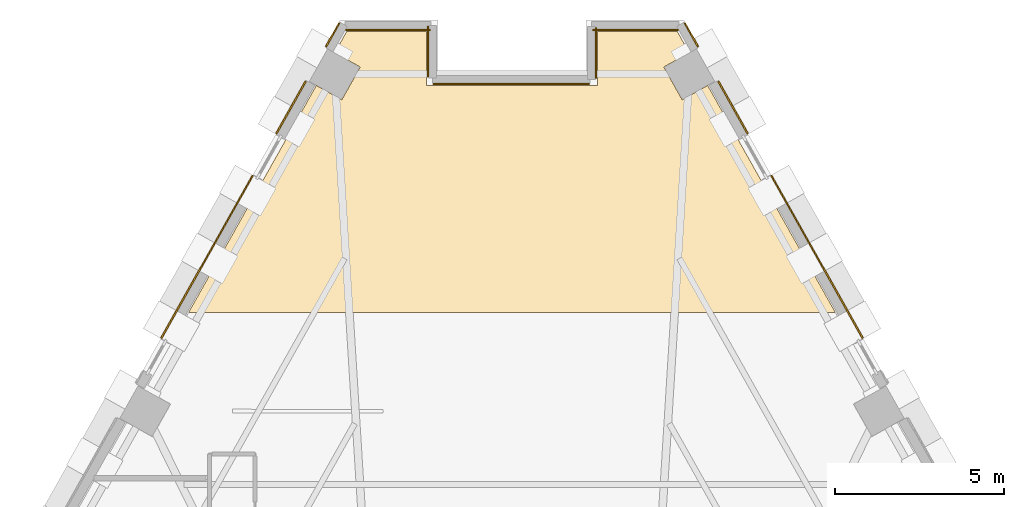
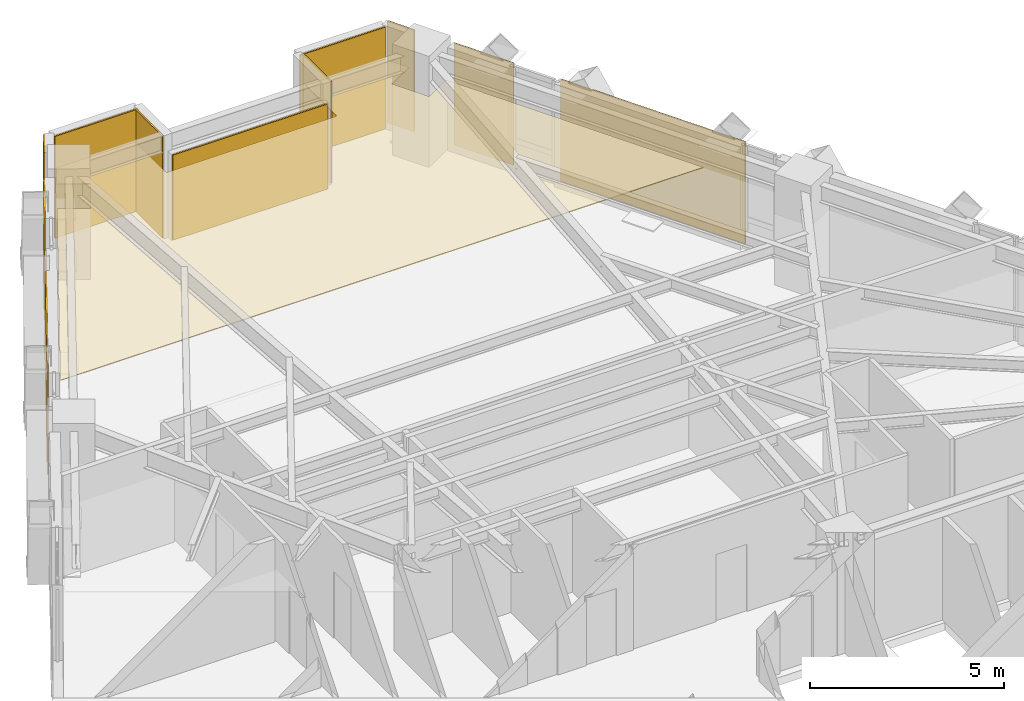
# One storey, part 13 of 13: 12 coverings.
"""IFC4 building model written with IfcOpenShell, lengths in metres."""

from ifc_helpers import new_model, si_unit, direction, frame, origin, place, context, subcontext, project, spatial, polyline, outline, extrude, material, layer, layer_set, type_object, element, save


model = new_model("IFC4")

# Units and contexts
model_context = context("Model", 3, precision=1e-05, world=origin(), true_north=direction((0.0, 1.0)))
body_context = subcontext(model_context, "Body", "Model", "MODEL_VIEW")
ifc_project = project(units=[si_unit("LENGTHUNIT", "METRE"), si_unit("AREAUNIT", "SQUARE_METRE"), si_unit("VOLUMEUNIT", "CUBIC_METRE"), si_unit("PLANEANGLEUNIT", "RADIAN"), si_unit("MASSUNIT", "GRAM", prefix="KILO")], contexts=[model_context])

# Site, building, storey
site_placement = place(None, origin())
site = spatial("IfcSite", under=ifc_project, at=site_placement, CompositionType="ELEMENT")
building_placement = place(site_placement, origin())
building = spatial("IfcBuilding", under=site, at=building_placement, Name="Quenlor Broadcast Tower", CompositionType="ELEMENT")
storey_placement = place(building_placement, frame((0.0, 0.0, 119.5)))
storey = spatial("IfcBuildingStorey", under=building, at=storey_placement, Name="L32", CompositionType="ELEMENT", Elevation=119.5)

# Coverings
ifc_material_1 = material(Name="Acoustic Mineral Fibre Board", Category="other")
ifc_layer_1 = layer(ifc_material_1, 0.02490234375)
ifc_layer_set_1 = layer_set([ifc_layer_1], Name="Acoustic Perforated Mineral Tile Ceiling 25")
covering_type_1 = type_object("IfcCoveringType", Name="Acoustic Perforated Mineral Tile Ceiling 25", PredefinedType="CEILING", material=ifc_layer_set_1)
covering_1_placement = place(storey_placement, frame((0.0, 0.0, 2.22509765625)))
element("IfcCovering", 1, at=covering_1_placement, inside=storey, type_object=covering_type_1, Name="L32 Acoustic Ceiling L32-29-2", PredefinedType="CEILING", context=body_context, shape_type="SweptSolid", body=[
    extrude(outline(polyline([(-5.805908203125, 19.384765625), (-5.049560546875, 18.959228515625), (-4.50244140625, 19.931884765625), (-5.2587890625, 20.357421875), (-4.904296875, 20.988037109375), (-3.830078125, 20.988037109375), (-2.5400390625, 20.988037109375), (-2.5400390625, 19.387939453125), (2.5400390625, 19.387939453125), (2.5400390625, 20.988037109375), (4.570068359375, 20.988037109375), (4.904296875, 20.988037109375), (5.2587890625, 20.357421875), (4.50244140625, 19.931884765625), (5.049560546875, 18.959228515625), (5.805908203125, 19.384765625), (9.59423828125, 12.64990234375), (-9.59423828125, 12.64990234375), (-5.805908203125, 19.384765625)])), origin(), (0.0, 0.0, 1.0), 0.02490234375),
])
ifc_material_2 = material(Name="Architectural Terracotta Ceramic", Category="masonry")
ifc_layer_2 = layer(ifc_material_2, 0.044921875)
ifc_layer_set_2 = layer_set([ifc_layer_2], Name="Fluted Terracotta Rainscreen Cladding Panel")
covering_type_2 = type_object("IfcCoveringType", Name="Fluted Terracotta Rainscreen Cladding Panel", PredefinedType="CLADDING", material=ifc_layer_set_2)
covering_2_placement = place(storey_placement, frame((0.0, 0.0, 0.02001953125)))
element("IfcCovering", 2, at=covering_2_placement, inside=storey, type_object=covering_type_2, Name="L32 Terracotta Rainscreen Cladding L32-SHD-NES0", PredefinedType="CLADDING", context=body_context, shape_type="SweptSolid", body=[
    extrude(outline(polyline([(5.105224609375, 21.22607421875), (5.5, 20.524169921875), (5.539306640625, 20.546142578125), (5.144287109375, 21.248046875), (5.105224609375, 21.22607421875)])), origin(), (0.0, 0.0, 1.0), 3.2099609375),
])
covering_3_placement = place(storey_placement, frame((0.0, 0.0, 0.02001953125)))
element("IfcCovering", 3, at=covering_3_placement, inside=storey, type_object=covering_type_2, Name="L32 Terracotta Rainscreen Cladding L32-NEA-SP1", PredefinedType="CLADDING", context=body_context, shape_type="SweptSolid", body=[
    extrude(outline(polyline([(6.10107421875, 19.496826171875), (6.97509765625, 17.9423828125), (7.014404296875, 17.964599609375), (6.14013671875, 19.518798828125), (6.10107421875, 19.496826171875)])), origin(), (0.0, 0.0, 1.0), 3.2099609375),
])
covering_4_placement = place(storey_placement, frame((0.0, 0.0, 0.02001953125)))
element("IfcCovering", 4, at=covering_4_placement, inside=storey, type_object=covering_type_2, Name="L32 Terracotta Rainscreen Cladding L32-NEA-SP2", PredefinedType="CLADDING", context=body_context, shape_type="SweptSolid", body=[
    extrude(outline(polyline([(7.673583984375, 16.700927734375), (10.38818359375, 11.874755859375), (10.427490234375, 11.896728515625), (7.712890625, 16.722900390625), (7.673583984375, 16.700927734375)])), origin(), (0.0, 0.0, 1.0), 3.2099609375),
])
covering_5_placement = place(storey_placement, frame((0.0, 0.0, 0.02001953125)))
element("IfcCovering", 5, at=covering_5_placement, inside=storey, type_object=covering_type_2, Name="L32 Terracotta Rainscreen Cladding L32-SHD-NWS1", PredefinedType="CLADDING", context=body_context, shape_type="SweptSolid", body=[
    extrude(outline(polyline([(-5.5, 20.524169921875), (-5.105224609375, 21.22607421875), (-5.144287109375, 21.248046875), (-5.539306640625, 20.546142578125), (-5.5, 20.524169921875)])), origin(), (0.0, 0.0, 1.0), 3.2099609375),
])
covering_6_placement = place(storey_placement, frame((0.0, 0.0, 0.02001953125)))
element("IfcCovering", 6, at=covering_6_placement, inside=storey, type_object=covering_type_2, Name="L32 Terracotta Rainscreen Cladding L32-NWC-SP2", PredefinedType="CLADDING", context=body_context, shape_type="SweptSolid", body=[
    extrude(outline(polyline([(-10.38818359375, 11.874755859375), (-7.673583984375, 16.700927734375), (-7.712890625, 16.722900390625), (-10.427490234375, 11.896728515625), (-10.38818359375, 11.874755859375)])), origin(), (0.0, 0.0, 1.0), 3.2099609375),
])
covering_7_placement = place(storey_placement, frame((0.0, 0.0, 0.02001953125)))
element("IfcCovering", 7, at=covering_7_placement, inside=storey, type_object=covering_type_2, Name="L32 Terracotta Rainscreen Cladding L32-NWC-SP3", PredefinedType="CLADDING", context=body_context, shape_type="SweptSolid", body=[
    extrude(outline(polyline([(-6.97509765625, 17.9423828125), (-6.10107421875, 19.496826171875), (-6.14013671875, 19.518798828125), (-7.014404296875, 17.964599609375), (-6.97509765625, 17.9423828125)])), origin(), (0.0, 0.0, 1.0), 3.2099609375),
])
covering_8_placement = place(storey_placement, frame((0.0, 0.0, 0.02001953125)))
element("IfcCovering", 8, at=covering_8_placement, inside=storey, type_object=covering_type_2, Name="L32 Terracotta Rainscreen Cladding L32-CNR-06", PredefinedType="CLADDING", context=body_context, shape_type="SweptSolid", body=[
    extrude(outline(polyline([(4.929443359375, 21.055908203125), (2.389892578125, 21.055908203125), (2.389892578125, 21.010986328125), (4.929443359375, 21.010986328125), (4.929443359375, 21.055908203125)])), origin(), (0.0, 0.0, 1.0), 3.2099609375),
])
covering_9_placement = place(storey_placement, frame((0.0, 0.0, 0.02001953125)))
element("IfcCovering", 9, at=covering_9_placement, inside=storey, type_object=covering_type_2, Name="L32 Terracotta Rainscreen Cladding L32-CNR-07", PredefinedType="CLADDING", context=body_context, shape_type="SweptSolid", body=[
    extrude(outline(polyline([(2.471923828125, 21.097900390625), (2.471923828125, 19.597900390625), (2.51708984375, 19.597900390625), (2.51708984375, 21.097900390625), (2.471923828125, 21.097900390625)])), origin(), (0.0, 0.0, 1.0), 3.2099609375),
])
covering_10_placement = place(storey_placement, frame((0.0, 0.0, 0.02001953125)))
element("IfcCovering", 10, at=covering_10_placement, inside=storey, type_object=covering_type_2, Name="L32 Terracotta Rainscreen Cladding L32-CNR-08", PredefinedType="CLADDING", context=body_context, shape_type="SweptSolid", body=[
    extrude(outline(polyline([(2.2900390625, 19.4560546875), (-2.330078125, 19.4560546875), (-2.330078125, 19.410888671875), (2.2900390625, 19.410888671875), (2.2900390625, 19.4560546875)])), origin(), (0.0, 0.0, 1.0), 2.681884765625),
])
covering_11_placement = place(storey_placement, frame((0.0, 0.0, 0.02001953125)))
element("IfcCovering", 11, at=covering_11_placement, inside=storey, type_object=covering_type_2, Name="L32 Terracotta Rainscreen Cladding L32-CNR-09", PredefinedType="CLADDING", context=body_context, shape_type="SweptSolid", body=[
    extrude(outline(polyline([(-2.471923828125, 19.637939453125), (-2.471923828125, 21.137939453125), (-2.51708984375, 21.137939453125), (-2.51708984375, 19.637939453125), (-2.471923828125, 19.637939453125)])), origin(), (0.0, 0.0, 1.0), 3.2099609375),
])
covering_12_placement = place(storey_placement, frame((0.0, 0.0, 0.02001953125)))
element("IfcCovering", 12, at=covering_12_placement, inside=storey, type_object=covering_type_2, Name="L32 Terracotta Rainscreen Cladding L32-CNR-10", PredefinedType="CLADDING", context=body_context, shape_type="SweptSolid", body=[
    extrude(outline(polyline([(-2.429931640625, 21.055908203125), (-4.929443359375, 21.055908203125), (-4.929443359375, 21.010986328125), (-2.429931640625, 21.010986328125), (-2.429931640625, 21.055908203125)])), origin(), (0.0, 0.0, 1.0), 3.2099609375),
])

save(model, "model.ifc")
